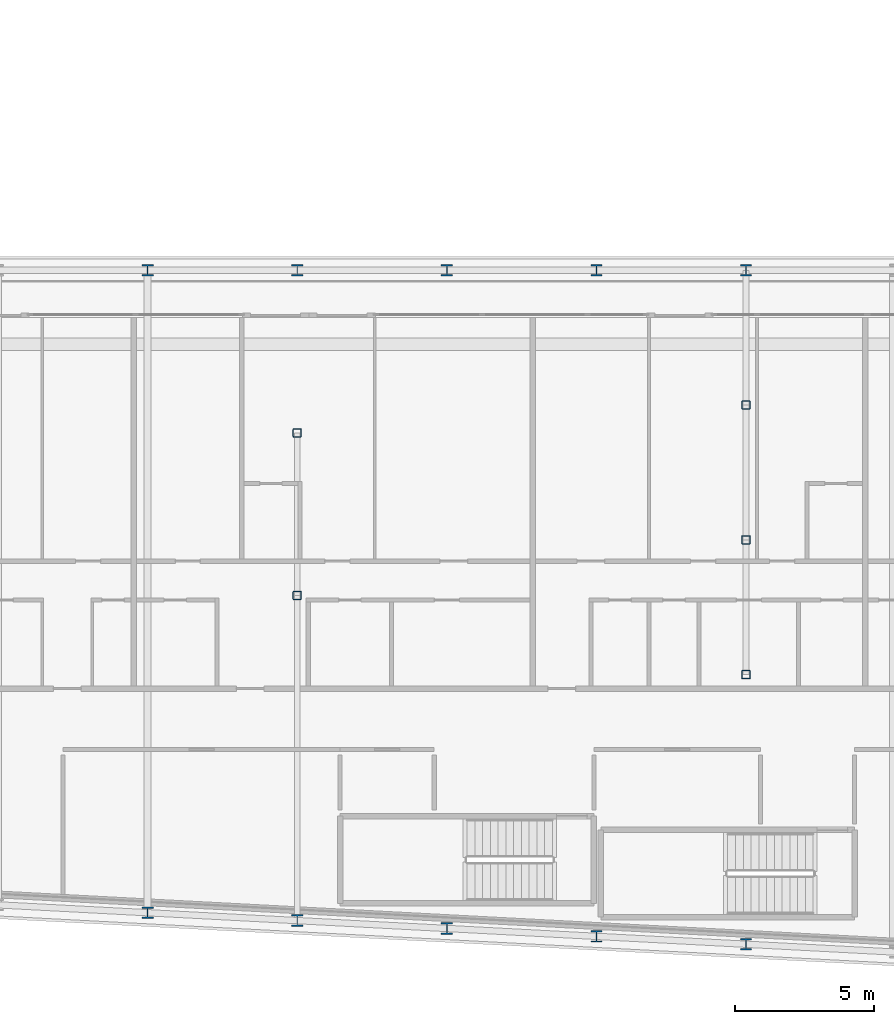
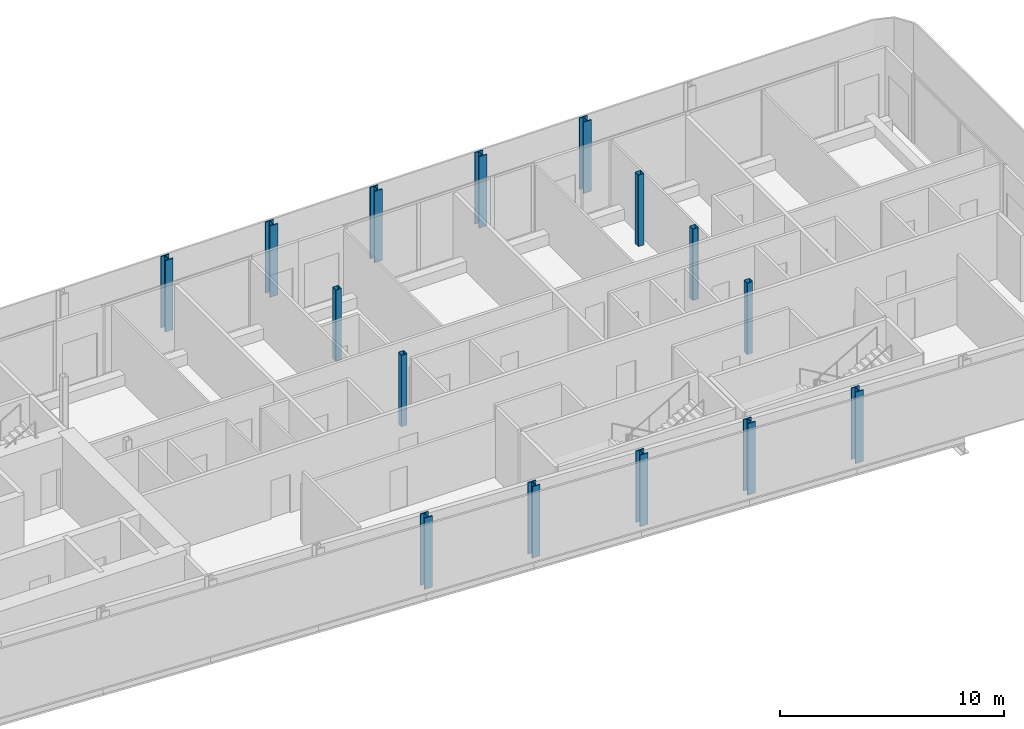
# One storey, part 2 of 29: 15 columns.
"""IFC4 building model written with IfcOpenShell, lengths in metres."""

from ifc_helpers import new_model, si_unit, direction, frame, origin, origin_2d, place, context, subcontext, project, spatial, hollow_rectangle, i_section, extrude, material, material_profile, profile_set, type_object, element, save


model = new_model("IFC4")

# Units and contexts
model_context = context("Model", 3, precision=1e-05, world=origin(), true_north=direction((0.0, 1.0)))
body_context = subcontext(model_context, "Body", "Model", "MODEL_VIEW")
ifc_project = project(units=[si_unit("LENGTHUNIT", "METRE"), si_unit("AREAUNIT", "SQUARE_METRE"), si_unit("VOLUMEUNIT", "CUBIC_METRE"), si_unit("PLANEANGLEUNIT", "RADIAN"), si_unit("MASSUNIT", "GRAM", prefix="KILO")], contexts=[model_context])

# Site, building, storey
site_placement = place(None, origin())
site = spatial("IfcSite", under=ifc_project, at=site_placement, CompositionType="ELEMENT")
building_placement = place(site_placement, origin())
building = spatial("IfcBuilding", under=site, at=building_placement, Name="Kheshtan School and Residences Tower", CompositionType="ELEMENT")
storey_placement = place(building_placement, frame((0.0, 0.0, 179.89990234375)))
storey = spatial("IfcBuildingStorey", under=building, at=storey_placement, Name="L42", CompositionType="ELEMENT", Elevation=179.89990234375)

# Columns
ifc_material_1 = material(Name="Steel ASTM A992 Grade 50", Category="steel")
ifc_material_profile_1 = material_profile(ifc_material_1, i_section(OverallWidth=0.408935546875, OverallDepth=0.425048828125, WebThickness=0.03271484375, FlangeThickness=0.052490234375, FilletRadius=0.0126953125, at=origin_2d()), Name="W360x421")
ifc_profile_set_1 = profile_set([ifc_material_profile_1], Name="Steel ASTM A992 Grade 50")
column_type_1 = type_object("IfcColumnType", Name="Column C3 W360x421 ASTM A992 Grade 50", PredefinedType="COLUMN", material=ifc_profile_set_1)
for number, where, z_axis, x_axis, name in (
    (1, (85.39990234375, 21.27392578125, 0.0), (0.0, 0.0, 1.0), (1.0, 0.0, 0.0), "Column C008"),
    (2, (80.0, 21.55810546875, 0.0), (0.0, 0.0, 1.0), (1.0, 0.0, 0.0), "Column C012"),
    (3, (74.60009765625, 21.843017578125, 0.0), (0.0, 0.0, 1.0), (1.0, 0.0, 0.0), "Column C013"),
    (4, (69.199951171875, 22.126953125, 0.0), (0.0, 0.0, 1.0), (1.0, 0.0, 0.0), "Column C014"),
    (5, (63.800048828125, 22.410888671875, 0.0), (0.0, 0.0, 1.0), (1.0, 0.0, 0.0), "Column C016"),
    (6, (63.800048828125, 45.60009765625, 0.0), (0.0, 0.0, 1.0), (1.0, 0.0, 0.0), "Column C063"),
    (7, (69.199951171875, 45.60009765625, 0.0), (0.0, 0.0, 1.0), (1.0, 0.0, 0.0), "Column C064"),
    (8, (74.60009765625, 45.60009765625, 0.0), (0.0, 0.0, 1.0), (1.0, 0.0, 0.0), "Column C065"),
    (9, (80.0, 45.60009765625, 0.0), (0.0, 0.0, 1.0), (1.0, 0.0, 0.0), "Column C066"),
    (10, (85.39990234375, 45.60009765625, 0.0), (0.0, 0.0, 1.0), (1.0, 0.0, 0.0), "Column C067"),
):
    element("IfcColumn", number, at=place(storey_placement, frame(where, z_axis=z_axis, x_axis=x_axis)), inside=storey, type_object=column_type_1, Name=name, PredefinedType="COLUMN", context=body_context, shape_type="SweptSolid", body=[
        extrude(i_section(OverallWidth=0.408935546875, OverallDepth=0.425048828125, WebThickness=0.03271484375, FlangeThickness=0.052490234375, FilletRadius=0.0126953125, at=origin_2d()), origin(), (0.0, 0.0, 1.0), 3.900146484375),
    ])
ifc_material_2 = material(Name="Steel ASTM A500 Grade C", Category="steel")
ifc_material_profile_2 = material_profile(ifc_material_2, hollow_rectangle(XDim=0.304931640625, YDim=0.304931640625, WallThickness=0.015869140625, InnerFilletRadius=0.015869140625, OuterFilletRadius=0.03173828125, at=origin_2d()), Name="HSS 305x305x15.9")
ifc_profile_set_2 = profile_set([ifc_material_profile_2], Name="Steel ASTM A500 Grade C")
column_type_2 = type_object("IfcColumnType", Name="Column IC2 HSS 305x305x15.9 ASTM A500 Grade C", PredefinedType="COLUMN", material=ifc_profile_set_2)
for number, where, z_axis, x_axis, name in (
    (11, (85.39990234375, 31.0048828125, 0.0), (0.0, 0.0, 1.0), (1.0, 0.0, 0.0), "Column C049"),
    (12, (69.199951171875, 33.863037109375, 0.0), (0.0, 0.0, 1.0), (1.0, 0.0, 0.0), "Column C050"),
    (13, (85.39990234375, 35.8701171875, 0.0), (0.0, 0.0, 1.0), (1.0, 0.0, 0.0), "Column C053"),
    (14, (69.199951171875, 39.73193359375, 0.0), (0.0, 0.0, 1.0), (1.0, 0.0, 0.0), "Column C054"),
    (15, (85.39990234375, 40.735107421875, 0.0), (0.0, 0.0, 1.0), (1.0, 0.0, 0.0), "Column C057"),
):
    element("IfcColumn", number, at=place(storey_placement, frame(where, z_axis=z_axis, x_axis=x_axis)), inside=storey, type_object=column_type_2, Name=name, PredefinedType="COLUMN", context=body_context, shape_type="SweptSolid", body=[
        extrude(hollow_rectangle(XDim=0.304931640625, YDim=0.304931640625, WallThickness=0.015869140625, InnerFilletRadius=0.015869140625, OuterFilletRadius=0.03173828125, at=origin_2d()), origin(), (0.0, 0.0, 1.0), 3.900146484375),
    ])

save(model, "model.ifc")
